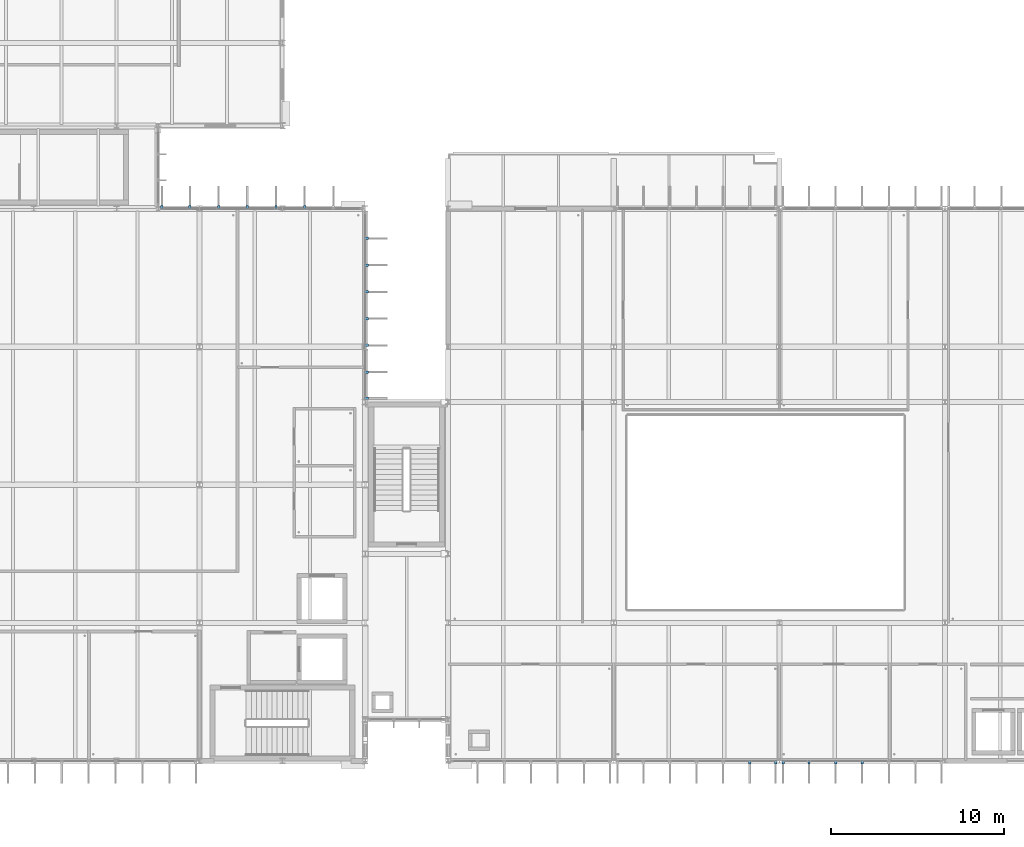
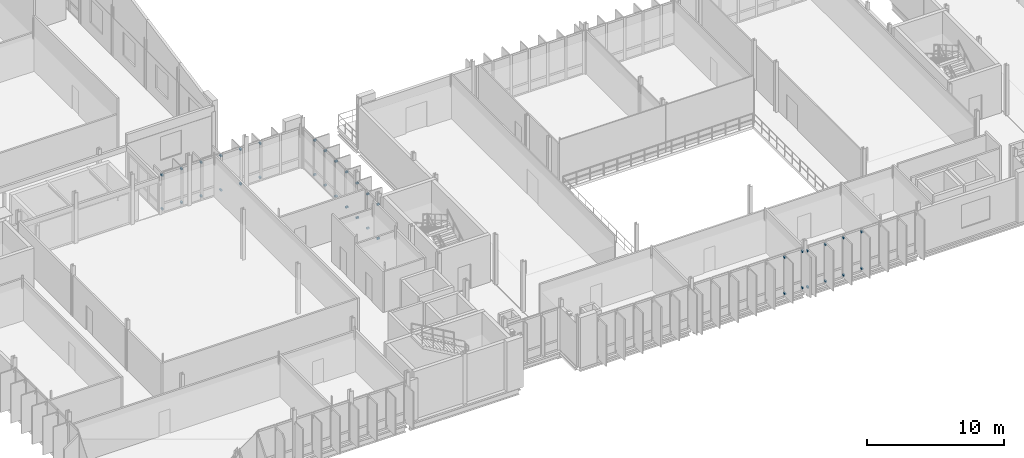
# One storey, part 79 of 93: 38 discrete accessories.
"""IFC4 building model written with IfcOpenShell, lengths in metres."""

import ifcopenshell
import ifcopenshell.guid

model = None  # the IFC model being written
_history = None  # IfcOwnerHistory: only IFC2X3 demands one
_inside = {}  # id of a spatial element -> (the spatial element, [elements in it])
_under = {}  # id of a project, library or spatial element -> (it, [spatial elements below it])
_declared = {}  # id of a project -> (the project, [libraries it declares])
_typed = {}  # id of a type object -> (the type object, [elements of that type])
_made_of = {}  # id of a material, layer set ... -> (it, [elements and type objects made of it])


def new_model(schema):
    """Start an empty IFC model of exactly this schema.

    Asked for "IFC4X3", IfcOpenShell would pick the latest addendum, in which some entities
    have other attributes; the version numbers below select the first issue.
    IFC2X3 requires an IfcOwnerHistory on every rooted entity: one is made here for all.
    """
    global model, _history
    if schema == "IFC4X3":
        model = ifcopenshell.file(schema_version=(4, 3, 0, 0))
    else:
        model = ifcopenshell.file(schema=schema)
    _inside.clear()
    _under.clear()
    _declared.clear()
    _typed.clear()
    _made_of.clear()
    _history = None
    if model.schema == "IFC2X3":
        org = make("IfcOrganization", Name="unknown")
        user = make(
            "IfcPersonAndOrganization",
            ThePerson=make("IfcPerson", FamilyName="unknown"),
            TheOrganization=org,
        )
        app = make(
            "IfcApplication",
            ApplicationDeveloper=org,
            Version="unknown",
            ApplicationFullName="unknown",
            ApplicationIdentifier="unknown",
        )
        _history = make(
            "IfcOwnerHistory",
            OwningUser=user,
            OwningApplication=app,
            ChangeAction="ADDED",
            CreationDate=0,
        )
    return model


def make(cls, **values):
    """One entity of the class cls with the attributes given. An attribute that is None is left unset."""
    return model.create_entity(
        cls, **{name: value for name, value in values.items() if value is not None}
    )


def rooted(cls, **values):
    """An entity with a GlobalId (a new one), such as an element, a storey or a relation."""
    return make(cls, GlobalId=ifcopenshell.guid.new(), OwnerHistory=_history, **values)


def si_unit(unit_type, name, prefix=None):
    """IfcSIUnit, for example si_unit("LENGTHUNIT", "METRE", prefix="MILLI")."""
    return make("IfcSIUnit", UnitType=unit_type, Prefix=prefix, Name=name)


def assignment(units):
    """IfcUnitAssignment: the units of a project."""
    return None if units is None else make("IfcUnitAssignment", Units=units)


def point(xyz):
    """IfcCartesianPoint."""
    return None if xyz is None else make("IfcCartesianPoint", Coordinates=xyz)


def direction(xyz):
    """IfcDirection."""
    return None if xyz is None else make("IfcDirection", DirectionRatios=xyz)


def frame(location, z_axis=None, x_axis=None):
    """IfcAxis2Placement3D, a coordinate frame: its origin and axes. An axis left out is left unset."""
    return make(
        "IfcAxis2Placement3D",
        Location=point(location),
        Axis=direction(z_axis),
        RefDirection=direction(x_axis),
    )


def frame_2d(location, x_axis=None):
    """IfcAxis2Placement2D, a coordinate frame in the plane: its origin and x axis."""
    return make(
        "IfcAxis2Placement2D", Location=point(location), RefDirection=direction(x_axis)
    )


def origin():
    """The frame at (0, 0, 0) with its axes left unset."""
    return frame((0.0, 0.0, 0.0))


def origin_2d():
    """The frame at (0, 0) in the plane with its x axis left unset."""
    return frame_2d((0.0, 0.0))


def place(relative_to, where):
    """IfcLocalPlacement: puts the frame where relative to a parent placement (None: the world)."""
    return make(
        "IfcLocalPlacement", PlacementRelTo=relative_to, RelativePlacement=where
    )


def context(
    kind, dimensions, precision=None, world=None, true_north=None, identifier=None
):
    """IfcGeometricRepresentationContext, for example the 3D "Model" context."""
    return make(
        "IfcGeometricRepresentationContext",
        ContextIdentifier=identifier,
        ContextType=kind,
        CoordinateSpaceDimension=dimensions,
        Precision=precision,
        WorldCoordinateSystem=world,
        TrueNorth=true_north,
    )


def subcontext(parent, identifier, kind, view, scale=None):
    """IfcGeometricRepresentationSubContext, for example "Body" below "Model"."""
    return make(
        "IfcGeometricRepresentationSubContext",
        ContextIdentifier=identifier,
        ContextType=kind,
        ParentContext=parent,
        TargetScale=scale,
        TargetView=view,
    )


def project(units=None, contexts=None):
    """IfcProject with its units and contexts."""
    return rooted(
        "IfcProject",
        Name="project",
        RepresentationContexts=contexts,
        UnitsInContext=assignment(units),
    )


def spatial(cls, under=None, at=None, **own):
    """A site, building, storey or space (cls), placed at a placement, below another one or the project."""
    s = rooted(cls, ObjectPlacement=at, **own)
    if under is not None:
        _under.setdefault(under.id(), (under, []))[1].append(s)
    return s


def profile(cls, at=None, kind="AREA", **sizes):
    """A parametric profile (cls). Its sizes go by their IFC names, for example OverallWidth=200.0."""
    return make(cls, ProfileType=kind, Position=at, **sizes)


def rectangle(**sizes):
    """IfcRectangleProfileDef."""
    return profile("IfcRectangleProfileDef", **sizes)


def extrude(swept, where, along, depth):
    """IfcExtrudedAreaSolid: the profile swept, set in the frame where, extruded along a direction by depth."""
    return make(
        "IfcExtrudedAreaSolid",
        SweptArea=swept,
        Position=where,
        ExtrudedDirection=direction(along),
        Depth=depth,
    )


def shape(context_of_items, identifier, shape_type, items):
    """IfcShapeRepresentation: the items that make up one representation, for example the "Body"."""
    return make(
        "IfcShapeRepresentation",
        ContextOfItems=context_of_items,
        RepresentationIdentifier=identifier,
        RepresentationType=shape_type,
        Items=items,
    )


def material(Name=None, Category=None):
    """IfcMaterial."""
    return make("IfcMaterial", Name=Name, Category=Category)


def made_of(thing, what):
    """Note that an element or type object is made of a material, layer set ...; save() writes the relation."""
    if what is not None:
        _made_of.setdefault(what.id(), (what, []))[1].append(thing)
    return thing


def type_object(cls, material=None, **own):
    """A type object (cls), such as IfcWallType, which elements share."""
    return made_of(rooted(cls, **own), material)


def element(
    cls,
    number,
    at=None,
    inside=None,
    cuts=None,
    type_object=None,
    material=None,
    context=None,
    identifier="Body",
    shape_type=None,
    held_by="IfcProductDefinitionShape",
    body=None,
    shapes=None,
    **own,
):
    """One element of the class cls, such as IfcWall. Its Tag is "e" and its number.

    at: its placement. inside: the storey or other place that contains it. cuts: it is an
    opening in that element (IfcRelVoidsElement). A single representation is given by context,
    identifier, shape_type and body (its items); several are given by shapes. held_by: the class
    of the entity that holds the representations. save() writes the other relations.
    """
    e = rooted(cls, Tag="e%d" % number, ObjectPlacement=at, **own)
    if body is not None:
        shapes = [shape(context, identifier, shape_type, body)]
    if shapes is not None:
        e.Representation = make(held_by, Representations=shapes)
    if inside is not None:
        _inside.setdefault(inside.id(), (inside, []))[1].append(e)
    if cuts is not None:
        rooted(
            "IfcRelVoidsElement", RelatingBuildingElement=cuts, RelatedOpeningElement=e
        )
    if type_object is not None:
        _typed.setdefault(type_object.id(), (type_object, []))[1].append(e)
    return made_of(e, material)


def aggregate(whole, parts):
    """IfcRelAggregates: a whole, such as a stair, and the parts it consists of."""
    return rooted("IfcRelAggregates", RelatingObject=whole, RelatedObjects=parts)


def save(model, path):
    """Write the relations noted so far, then the file.

    IfcRelAggregates (storeys below a building ...), IfcRelContainedInSpatialStructure (elements
    in a storey), IfcRelDefinesByType, IfcRelAssociatesMaterial and IfcRelDeclares: one each for
    every whole, place, type object, material and project.
    """
    for whole, parts in _under.values():
        aggregate(whole, parts)
    for where, things in _inside.values():
        rooted(
            "IfcRelContainedInSpatialStructure",
            RelatedElements=things,
            RelatingStructure=where,
        )
    for kind, things in _typed.values():
        rooted("IfcRelDefinesByType", RelatedObjects=things, RelatingType=kind)
    for what, things in _made_of.values():
        rooted("IfcRelAssociatesMaterial", RelatedObjects=things, RelatingMaterial=what)
    for by, libraries in _declared.values():
        rooted("IfcRelDeclares", RelatingContext=by, RelatedDefinitions=libraries)
    model.write(path)


model = new_model("IFC4")

# Units and contexts
model_context = context("Model", 3, precision=1e-05, world=origin(), true_north=direction((0.0, 1.0)))
body_context = subcontext(model_context, "Body", "Model", "MODEL_VIEW")
ifc_project = project(units=[si_unit("LENGTHUNIT", "METRE"), si_unit("AREAUNIT", "SQUARE_METRE"), si_unit("VOLUMEUNIT", "CUBIC_METRE"), si_unit("PLANEANGLEUNIT", "RADIAN"), si_unit("MASSUNIT", "GRAM", prefix="KILO")], contexts=[model_context])

# Site, building, storey
site_placement = place(None, origin())
site = spatial("IfcSite", under=ifc_project, at=site_placement, CompositionType="ELEMENT")
building_placement = place(site_placement, origin())
building = spatial("IfcBuilding", under=site, at=building_placement, Name="Dunescarp Central Library", CompositionType="ELEMENT")
storey_placement = place(building_placement, frame((0.0, 0.0, 14.10009765625)))
storey = spatial("IfcBuildingStorey", under=building, at=storey_placement, Name="L03", CompositionType="ELEMENT", Elevation=14.10009765625)

# Discrete accessories
ifc_material = material(Name="Stainless steel Grade 316L", Category="steel")
discrete_accessory_type = type_object("IfcDiscreteAccessoryType", Name="ARC-ACC-BRK", PredefinedType="BRACKET", material=ifc_material)
for number, where, z_axis, x_axis, name in (
    (1, (21.81494140625, 36.8798828125, 0.27685546875), (0.0, 0.0, 1.0), (0.0, 1.0, 0.0), "Fin bracket BRK-FIN-L03-0136-B"),
    (2, (21.81494140625, 36.8798828125, 3.294921875), (0.0, 0.0, 1.0), (0.0, 1.0, 0.0), "Fin bracket BRK-FIN-L03-0136-T"),
    (3, (23.43896484375, 36.8798828125, 0.2900390625), (0.0, 0.0, 1.0), (0.0, 1.0, 0.0), "Fin bracket BRK-FIN-L03-0137-B"),
    (4, (23.43896484375, 36.8798828125, 3.294921875), (0.0, 0.0, 1.0), (0.0, 1.0, 0.0), "Fin bracket BRK-FIN-L03-0137-T"),
    (5, (25.10400390625, 36.8798828125, 0.27392578125), (0.0, 0.0, 1.0), (0.0, 1.0, 0.0), "Fin bracket BRK-FIN-L03-0138-B"),
    (6, (25.10400390625, 36.8798828125, 3.294921875), (0.0, 0.0, 1.0), (0.0, 1.0, 0.0), "Fin bracket BRK-FIN-L03-0138-T"),
    (7, (26.76806640625, 36.8798828125, 0.23291015625), (0.0, 0.0, 1.0), (0.0, 1.0, 0.0), "Fin bracket BRK-FIN-L03-0139-B"),
    (8, (26.76806640625, 36.8798828125, 3.294921875), (0.0, 0.0, 1.0), (0.0, 1.0, 0.0), "Fin bracket BRK-FIN-L03-0139-T"),
    (9, (28.431884765625, 36.8798828125, 0.18994140625), (0.0, 0.0, 1.0), (0.0, 1.0, 0.0), "Fin bracket BRK-FIN-L03-0140-B"),
    (10, (28.431884765625, 36.8798828125, 3.2841796875), (0.0, 0.0, 1.0), (0.0, 1.0, 0.0), "Fin bracket BRK-FIN-L03-0140-T"),
    (11, (30.095947265625, 36.8798828125, 0.18994140625), (0.0, 0.0, 1.0), (0.0, 1.0, 0.0), "Fin bracket BRK-FIN-L03-0141-B"),
    (12, (30.095947265625, 36.8798828125, 3.23388671875), (0.0, 0.0, 1.0), (0.0, 1.0, 0.0), "Fin bracket BRK-FIN-L03-0141-T"),
    (13, (33.679931640625, 35.074951171875, 0.2900390625), (0.0, 0.0, 1.0), (1.0, 0.0, 0.0), "Fin bracket BRK-FIN-L03-0156-B"),
    (14, (33.679931640625, 35.074951171875, 3.3447265625), (0.0, 0.0, 1.0), (1.0, 0.0, 0.0), "Fin bracket BRK-FIN-L03-0156-T"),
    (15, (33.679931640625, 33.52490234375, 0.27392578125), (0.0, 0.0, 1.0), (1.0, 0.0, 0.0), "Fin bracket BRK-FIN-L03-0157-B"),
    (16, (33.679931640625, 33.52490234375, 3.3447265625), (0.0, 0.0, 1.0), (1.0, 0.0, 0.0), "Fin bracket BRK-FIN-L03-0157-T"),
    (17, (33.679931640625, 31.97509765625, 0.23291015625), (0.0, 0.0, 1.0), (1.0, 0.0, 0.0), "Fin bracket BRK-FIN-L03-0158-B"),
    (18, (33.679931640625, 31.97509765625, 3.3447265625), (0.0, 0.0, 1.0), (1.0, 0.0, 0.0), "Fin bracket BRK-FIN-L03-0158-T"),
    (19, (33.679931640625, 30.425048828125, 0.18994140625), (0.0, 0.0, 1.0), (1.0, 0.0, 0.0), "Fin bracket BRK-FIN-L03-0159-B"),
    (20, (33.679931640625, 30.425048828125, 3.333984375), (0.0, 0.0, 1.0), (1.0, 0.0, 0.0), "Fin bracket BRK-FIN-L03-0159-T"),
    (21, (33.679931640625, 28.875, 0.18994140625), (0.0, 0.0, 1.0), (1.0, 0.0, 0.0), "Fin bracket BRK-FIN-L03-0160-B"),
    (22, (33.679931640625, 28.875, 3.2841796875), (0.0, 0.0, 1.0), (1.0, 0.0, 0.0), "Fin bracket BRK-FIN-L03-0160-T"),
    (23, (33.679931640625, 27.324951171875, 0.18994140625), (0.0, 0.0, 1.0), (1.0, 0.0, 0.0), "Fin bracket BRK-FIN-L03-0161-B"),
    (24, (33.679931640625, 27.324951171875, 3.2509765625), (0.0, 0.0, 1.0), (1.0, 0.0, 0.0), "Fin bracket BRK-FIN-L03-0161-T"),
    (25, (33.679931640625, 25.81494140625, 0.18994140625), (0.0, 0.0, 1.0), (1.0, 0.0, 0.0), "Fin bracket BRK-FIN-L03-0162-B"),
    (26, (33.679931640625, 25.81494140625, 3.2470703125), (0.0, 0.0, 1.0), (1.0, 0.0, 0.0), "Fin bracket BRK-FIN-L03-0162-T"),
    (27, (57.385009765625, 4.719970703125, 0.27685546875), (0.0, 0.0, 1.0), (0.0, -1.0, 0.0), "Fin bracket BRK-FIN-L03-0430-B"),
    (28, (57.385009765625, 4.719970703125, 3.53173828125), (0.0, 0.0, 1.0), (0.0, -1.0, 0.0), "Fin bracket BRK-FIN-L03-0430-T"),
    (29, (55.883056640625, 4.719970703125, 0.2900390625), (0.0, 0.0, 1.0), (0.0, -1.0, 0.0), "Fin bracket BRK-FIN-L03-0431-B"),
    (30, (55.883056640625, 4.719970703125, 3.53173828125), (0.0, 0.0, 1.0), (0.0, -1.0, 0.0), "Fin bracket BRK-FIN-L03-0431-T"),
    (31, (62.39990234375, 4.719970703125, 0.23291015625), (0.0, 0.0, 1.0), (0.0, -1.0, 0.0), "Fin bracket BRK-FIN-L03-0440-B"),
    (32, (62.39990234375, 4.719970703125, 3.53173828125), (0.0, 0.0, 1.0), (0.0, -1.0, 0.0), "Fin bracket BRK-FIN-L03-0440-T"),
    (33, (60.85791015625, 4.719970703125, 0.18994140625), (0.0, 0.0, 1.0), (0.0, -1.0, 0.0), "Fin bracket BRK-FIN-L03-0441-B"),
    (34, (60.85791015625, 4.719970703125, 3.52099609375), (0.0, 0.0, 1.0), (0.0, -1.0, 0.0), "Fin bracket BRK-FIN-L03-0441-T"),
    (35, (59.31689453125, 4.719970703125, 0.18994140625), (0.0, 0.0, 1.0), (0.0, -1.0, 0.0), "Fin bracket BRK-FIN-L03-0442-B"),
    (36, (59.31689453125, 4.719970703125, 3.47119140625), (0.0, 0.0, 1.0), (0.0, -1.0, 0.0), "Fin bracket BRK-FIN-L03-0442-T"),
    (37, (57.81494140625, 4.719970703125, 0.18994140625), (0.0, 0.0, 1.0), (0.0, -1.0, 0.0), "Fin bracket BRK-FIN-L03-0443-B"),
    (38, (57.81494140625, 4.719970703125, 3.43798828125), (0.0, 0.0, 1.0), (0.0, -1.0, 0.0), "Fin bracket BRK-FIN-L03-0443-T"),
):
    element("IfcDiscreteAccessory", number, at=place(storey_placement, frame(where, z_axis=z_axis, x_axis=x_axis)), inside=storey, type_object=discrete_accessory_type, Name=name, PredefinedType="BRACKET", context=body_context, shape_type="SweptSolid", body=[
        extrude(rectangle(XDim=0.219970703125, YDim=0.139892578125, at=origin_2d()), origin(), (0.0, 0.0, 1.0), 0.139892578125),
    ])

save(model, "model.ifc")
